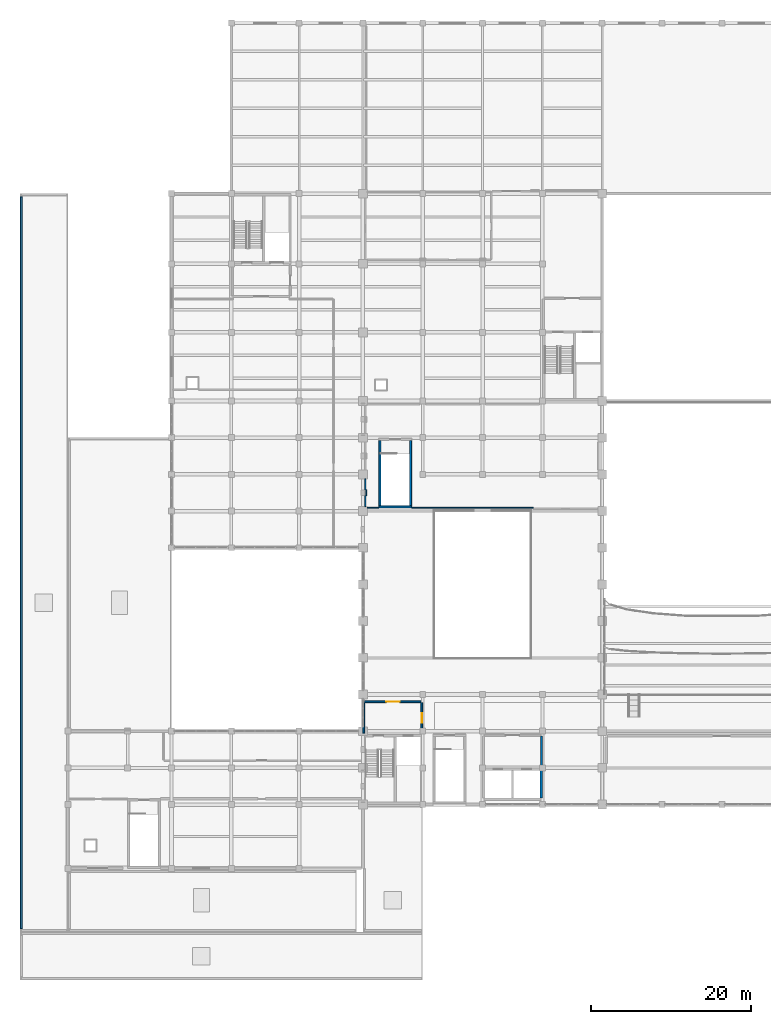
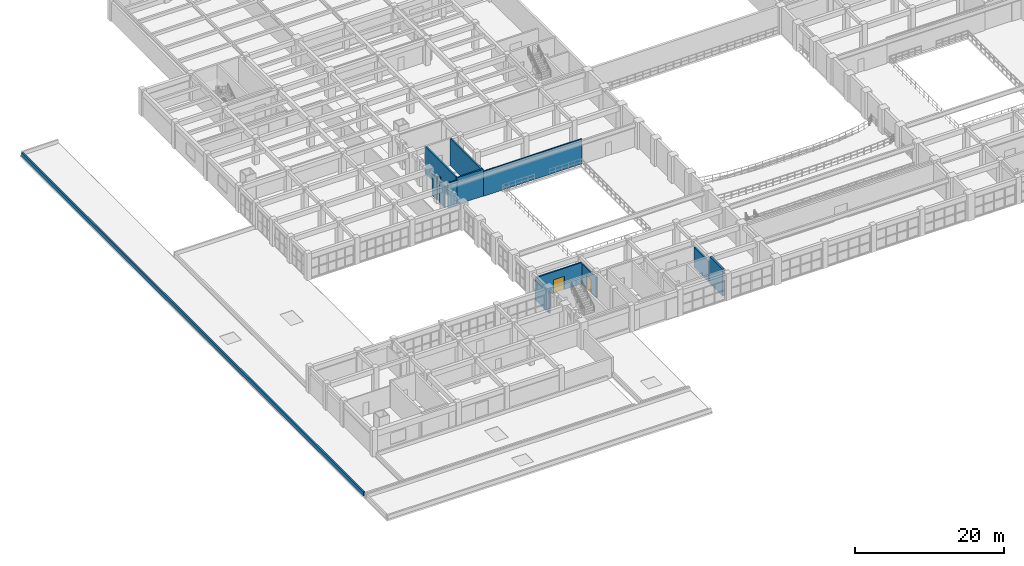
# One storey, part 69 of 90: 14 walls, 2 doors, 2 openings.
"""IFC4 building model written with IfcOpenShell, lengths in metres."""

import ifcopenshell
import ifcopenshell.guid

model = None  # the IFC model being written
_history = None  # IfcOwnerHistory: only IFC2X3 demands one
_inside = {}  # id of a spatial element -> (the spatial element, [elements in it])
_under = {}  # id of a project, library or spatial element -> (it, [spatial elements below it])
_declared = {}  # id of a project -> (the project, [libraries it declares])
_typed = {}  # id of a type object -> (the type object, [elements of that type])
_made_of = {}  # id of a material, layer set ... -> (it, [elements and type objects made of it])


def new_model(schema):
    """Start an empty IFC model of exactly this schema.

    Asked for "IFC4X3", IfcOpenShell would pick the latest addendum, in which some entities
    have other attributes; the version numbers below select the first issue.
    IFC2X3 requires an IfcOwnerHistory on every rooted entity: one is made here for all.
    """
    global model, _history
    if schema == "IFC4X3":
        model = ifcopenshell.file(schema_version=(4, 3, 0, 0))
    else:
        model = ifcopenshell.file(schema=schema)
    _inside.clear()
    _under.clear()
    _declared.clear()
    _typed.clear()
    _made_of.clear()
    _history = None
    if model.schema == "IFC2X3":
        org = make("IfcOrganization", Name="unknown")
        user = make(
            "IfcPersonAndOrganization",
            ThePerson=make("IfcPerson", FamilyName="unknown"),
            TheOrganization=org,
        )
        app = make(
            "IfcApplication",
            ApplicationDeveloper=org,
            Version="unknown",
            ApplicationFullName="unknown",
            ApplicationIdentifier="unknown",
        )
        _history = make(
            "IfcOwnerHistory",
            OwningUser=user,
            OwningApplication=app,
            ChangeAction="ADDED",
            CreationDate=0,
        )
    return model


def make(cls, **values):
    """One entity of the class cls with the attributes given. An attribute that is None is left unset."""
    return model.create_entity(
        cls, **{name: value for name, value in values.items() if value is not None}
    )


def rooted(cls, **values):
    """An entity with a GlobalId (a new one), such as an element, a storey or a relation."""
    return make(cls, GlobalId=ifcopenshell.guid.new(), OwnerHistory=_history, **values)


def si_unit(unit_type, name, prefix=None):
    """IfcSIUnit, for example si_unit("LENGTHUNIT", "METRE", prefix="MILLI")."""
    return make("IfcSIUnit", UnitType=unit_type, Prefix=prefix, Name=name)


def assignment(units):
    """IfcUnitAssignment: the units of a project."""
    return None if units is None else make("IfcUnitAssignment", Units=units)


def point(xyz):
    """IfcCartesianPoint."""
    return None if xyz is None else make("IfcCartesianPoint", Coordinates=xyz)


def direction(xyz):
    """IfcDirection."""
    return None if xyz is None else make("IfcDirection", DirectionRatios=xyz)


def frame(location, z_axis=None, x_axis=None):
    """IfcAxis2Placement3D, a coordinate frame: its origin and axes. An axis left out is left unset."""
    return make(
        "IfcAxis2Placement3D",
        Location=point(location),
        Axis=direction(z_axis),
        RefDirection=direction(x_axis),
    )


def frame_2d(location, x_axis=None):
    """IfcAxis2Placement2D, a coordinate frame in the plane: its origin and x axis."""
    return make(
        "IfcAxis2Placement2D", Location=point(location), RefDirection=direction(x_axis)
    )


def origin():
    """The frame at (0, 0, 0) with its axes left unset."""
    return frame((0.0, 0.0, 0.0))


def place(relative_to, where):
    """IfcLocalPlacement: puts the frame where relative to a parent placement (None: the world)."""
    return make(
        "IfcLocalPlacement", PlacementRelTo=relative_to, RelativePlacement=where
    )


def context(
    kind, dimensions, precision=None, world=None, true_north=None, identifier=None
):
    """IfcGeometricRepresentationContext, for example the 3D "Model" context."""
    return make(
        "IfcGeometricRepresentationContext",
        ContextIdentifier=identifier,
        ContextType=kind,
        CoordinateSpaceDimension=dimensions,
        Precision=precision,
        WorldCoordinateSystem=world,
        TrueNorth=true_north,
    )


def subcontext(parent, identifier, kind, view, scale=None):
    """IfcGeometricRepresentationSubContext, for example "Body" below "Model"."""
    return make(
        "IfcGeometricRepresentationSubContext",
        ContextIdentifier=identifier,
        ContextType=kind,
        ParentContext=parent,
        TargetScale=scale,
        TargetView=view,
    )


def project(units=None, contexts=None):
    """IfcProject with its units and contexts."""
    return rooted(
        "IfcProject",
        Name="project",
        RepresentationContexts=contexts,
        UnitsInContext=assignment(units),
    )


def spatial(cls, under=None, at=None, **own):
    """A site, building, storey or space (cls), placed at a placement, below another one or the project."""
    s = rooted(cls, ObjectPlacement=at, **own)
    if under is not None:
        _under.setdefault(under.id(), (under, []))[1].append(s)
    return s


def profile(cls, at=None, kind="AREA", **sizes):
    """A parametric profile (cls). Its sizes go by their IFC names, for example OverallWidth=200.0."""
    return make(cls, ProfileType=kind, Position=at, **sizes)


def rectangle(**sizes):
    """IfcRectangleProfileDef."""
    return profile("IfcRectangleProfileDef", **sizes)


def extrude(swept, where, along, depth):
    """IfcExtrudedAreaSolid: the profile swept, set in the frame where, extruded along a direction by depth."""
    return make(
        "IfcExtrudedAreaSolid",
        SweptArea=swept,
        Position=where,
        ExtrudedDirection=direction(along),
        Depth=depth,
    )


def shape(context_of_items, identifier, shape_type, items):
    """IfcShapeRepresentation: the items that make up one representation, for example the "Body"."""
    return make(
        "IfcShapeRepresentation",
        ContextOfItems=context_of_items,
        RepresentationIdentifier=identifier,
        RepresentationType=shape_type,
        Items=items,
    )


def material(Name=None, Category=None):
    """IfcMaterial."""
    return make("IfcMaterial", Name=Name, Category=Category)


def layer(
    of_material, thickness, ventilated=None, Name=None, Category=None, Priority=None
):
    """IfcMaterialLayer: one layer of a wall or slab, of a material (None: an air gap)."""
    return make(
        "IfcMaterialLayer",
        Material=of_material,
        LayerThickness=thickness,
        IsVentilated=ventilated,
        Name=Name,
        Category=Category,
        Priority=Priority,
    )


def layer_set(layers, Name=None):
    """IfcMaterialLayerSet."""
    return make("IfcMaterialLayerSet", MaterialLayers=layers, LayerSetName=Name)


def made_of(thing, what):
    """Note that an element or type object is made of a material, layer set ...; save() writes the relation."""
    if what is not None:
        _made_of.setdefault(what.id(), (what, []))[1].append(thing)
    return thing


def type_object(cls, material=None, **own):
    """A type object (cls), such as IfcWallType, which elements share."""
    return made_of(rooted(cls, **own), material)


def element(
    cls,
    number,
    at=None,
    inside=None,
    cuts=None,
    type_object=None,
    material=None,
    context=None,
    identifier="Body",
    shape_type=None,
    held_by="IfcProductDefinitionShape",
    body=None,
    shapes=None,
    **own,
):
    """One element of the class cls, such as IfcWall. Its Tag is "e" and its number.

    at: its placement. inside: the storey or other place that contains it. cuts: it is an
    opening in that element (IfcRelVoidsElement). A single representation is given by context,
    identifier, shape_type and body (its items); several are given by shapes. held_by: the class
    of the entity that holds the representations. save() writes the other relations.
    """
    e = rooted(cls, Tag="e%d" % number, ObjectPlacement=at, **own)
    if body is not None:
        shapes = [shape(context, identifier, shape_type, body)]
    if shapes is not None:
        e.Representation = make(held_by, Representations=shapes)
    if inside is not None:
        _inside.setdefault(inside.id(), (inside, []))[1].append(e)
    if cuts is not None:
        rooted(
            "IfcRelVoidsElement", RelatingBuildingElement=cuts, RelatedOpeningElement=e
        )
    if type_object is not None:
        _typed.setdefault(type_object.id(), (type_object, []))[1].append(e)
    return made_of(e, material)


def fill(opening, filler):
    """IfcRelFillsElement: the door or window that sits in an opening."""
    return rooted(
        "IfcRelFillsElement",
        RelatingOpeningElement=opening,
        RelatedBuildingElement=filler,
    )


def aggregate(whole, parts):
    """IfcRelAggregates: a whole, such as a stair, and the parts it consists of."""
    return rooted("IfcRelAggregates", RelatingObject=whole, RelatedObjects=parts)


def save(model, path):
    """Write the relations noted so far, then the file.

    IfcRelAggregates (storeys below a building ...), IfcRelContainedInSpatialStructure (elements
    in a storey), IfcRelDefinesByType, IfcRelAssociatesMaterial and IfcRelDeclares: one each for
    every whole, place, type object, material and project.
    """
    for whole, parts in _under.values():
        aggregate(whole, parts)
    for where, things in _inside.values():
        rooted(
            "IfcRelContainedInSpatialStructure",
            RelatedElements=things,
            RelatingStructure=where,
        )
    for kind, things in _typed.values():
        rooted("IfcRelDefinesByType", RelatedObjects=things, RelatingType=kind)
    for what, things in _made_of.values():
        rooted("IfcRelAssociatesMaterial", RelatedObjects=things, RelatingMaterial=what)
    for by, libraries in _declared.values():
        rooted("IfcRelDeclares", RelatingContext=by, RelatedDefinitions=libraries)
    model.write(path)


model = new_model("IFC4")

# Units and contexts
model_context = context("Model", 3, precision=1e-05, world=origin(), true_north=direction((0.0, 1.0)))
body_context = subcontext(model_context, "Body", "Model", "MODEL_VIEW")
ifc_project = project(units=[si_unit("LENGTHUNIT", "METRE"), si_unit("AREAUNIT", "SQUARE_METRE"), si_unit("VOLUMEUNIT", "CUBIC_METRE"), si_unit("PLANEANGLEUNIT", "RADIAN"), si_unit("MASSUNIT", "GRAM", prefix="KILO")], contexts=[model_context])

# Site, building, storey
site_placement = place(None, origin())
site = spatial("IfcSite", under=ifc_project, at=site_placement, CompositionType="ELEMENT")
building_placement = place(site_placement, origin())
building = spatial("IfcBuilding", under=site, at=building_placement, Name="Muzn Square Opera House", CompositionType="ELEMENT")
storey_placement = place(building_placement, frame((0.0, 0.0, 9.800048828125)))
storey = spatial("IfcBuildingStorey", under=building, at=storey_placement, Name="L02", CompositionType="ELEMENT", Elevation=9.800048828125)

# Walls
ifc_material_1 = material(Name="Concrete C45/55", Category="concrete")
ifc_layer_1 = layer(ifc_material_1, 0.25, Name="Concrete C45/55", Category="concrete")
ifc_layer_set_1 = layer_set([ifc_layer_1], Name="Concrete C45/55")
wall_type_1 = type_object("IfcWallType", Name="Aux Stair Enclosure Wall 250mm", PredefinedType="SHEAR", material=ifc_layer_set_1)
wall_1_placement = place(storey_placement, frame((45.0, 59.324951171875, 0.0), z_axis=(0.0, 0.0, 1.0), x_axis=(1.0, 0.0, 0.0)))
element("IfcWall", 1, at=wall_1_placement, inside=storey, type_object=wall_type_1, Name="Escape Stair ST-9 Wall S L02", PredefinedType="SHEAR", context=body_context, shape_type="SweptSolid", body=[
    extrude(rectangle(XDim=4.10009765625, YDim=0.25, at=frame_2d((2.050048828125, 0.0))), origin(), (0.0, 0.0, 1.0), 4.39990234375),
])
for number, where, z_axis, x_axis, name in (
    (2, (45.125, 59.449951171875, 0.0), (0.0, 0.0, 1.0), (0.0, 1.0, 0.0), "Escape Stair ST-9 Wall W L02"),
    (3, (48.97509765625, 59.449951171875, 0.0), (0.0, 0.0, 1.0), (0.0, 1.0, 0.0), "Escape Stair ST-9 Wall E L02"),
):
    element("IfcWall", number, at=place(storey_placement, frame(where, z_axis=z_axis, x_axis=x_axis)), inside=storey, type_object=wall_type_1, Name=name, PredefinedType="SHEAR", context=body_context, shape_type="SweptSolid", body=[
        extrude(rectangle(XDim=8.199951171875, YDim=0.25, at=frame_2d((4.10009765625, 0.0))), origin(), (0.0, 0.0, 1.0), 4.39990234375),
    ])
ifc_layer_2 = layer(ifc_material_1, 0.300048828125, Name="Concrete C45/55", Category="concrete")
ifc_layer_set_2 = layer_set([ifc_layer_2], Name="Concrete C45/55")
wall_type_2 = type_object("IfcWallType", Name="Core Shear Wall 300mm", PredefinedType="SHEAR", material=ifc_layer_set_2)
wall_2_placement = place(storey_placement, frame((65.35009765625, 22.800048828125, 0.0), z_axis=(0.0, 0.0, 1.0), x_axis=(0.0, 1.0, 0.0)))
element("IfcWall", 4, at=wall_2_placement, inside=storey, type_object=wall_type_2, Name="Lift Bank LBW Shear Wall SW-LBW-L02-E", PredefinedType="SHEAR", context=body_context, shape_type="SweptSolid", body=[
    extrude(rectangle(XDim=3.5, YDim=0.300048828125, at=frame_2d((1.75, 0.0))), origin(), (0.0, 0.0, 1.0), 4.39990234375),
])

# Wall, opening, door
ifc_material_2 = material(Name="Concrete C40/50", Category="concrete")
ifc_layer_3 = layer(ifc_material_2, 0.219970703125, Name="Concrete C40/50", Category="concrete")
ifc_layer_set_3 = layer_set([ifc_layer_3], Name="Concrete C40/50")
wall_type_3 = type_object("IfcWallType", Name="Lift Lobby Wall 220mm", PredefinedType="SOLIDWALL", material=ifc_layer_set_3)
wall_3_placement = place(storey_placement, frame((43.219970703125, 34.889892578125, 0.0), z_axis=(0.0, 0.0, 1.0), x_axis=(1.0, 0.0, 0.0)))
wall_3 = element("IfcWall", 5, at=wall_3_placement, inside=storey, type_object=wall_type_3, Name="Lobby C3 Enclosure Wall L02", PredefinedType="SOLIDWALL", context=body_context, shape_type="SweptSolid", body=[
    extrude(rectangle(XDim=7.06005859375, YDim=0.219970703125, at=frame_2d((3.530029296875, 0.0))), origin(), (0.0, 0.0, 1.0), 3.5),
])
opening_1_placement = place(wall_3_placement, frame((2.679931640625, 0.0, 0.0)))
opening_1 = element("IfcOpeningElement", 6, at=opening_1_placement, cuts=wall_3, Name="Opening DR-LL17", PredefinedType="OPENING", context=body_context, shape_type="SweptSolid", body=[
    extrude(rectangle(XDim=1.699951171875, YDim=2.179931640625, at=frame_2d((0.85009765625, 1.08984375))), frame((0.0, 0.119873046875, 0.0), z_axis=(0.0, -1.0, 0.0), x_axis=(1.0, 0.0, 0.0)), (0.0, 0.0, 1.0), 0.239990234375),
])
ifc_material_3 = material(Name="Acoustic hardwood leaf", Category="wood")
door_type_1 = type_object("IfcDoorType", Name="Lift Lobby Double Door 1700x2180", OperationType="DOUBLE_DOOR_SINGLE_SWING", PredefinedType="DOOR", material=ifc_material_3)
door_1_placement = place(opening_1_placement, origin())
door_1 = element("IfcDoor", 7, at=door_1_placement, inside=storey, type_object=door_type_1, Name="Lobby C3 Fire Door L02", OperationType="DOUBLE_DOOR_SINGLE_SWING", OverallHeight=2.179931640625, OverallWidth=1.699951171875, PredefinedType="DOOR", context=body_context, shape_type="SweptSolid", body=[
    extrude(rectangle(XDim=1.699951171875, YDim=2.179931640625, at=frame_2d((0.85009765625, 1.08984375))), frame((0.0, 0.02490234375, 0.0), z_axis=(0.0, -1.0, 0.0), x_axis=(1.0, 0.0, 0.0)), (0.0, 0.0, 1.0), 0.050048828125),
])
fill(opening_1, door_1)

# Wall
wall_4_placement = place(storey_placement, frame((43.110107421875, 30.949951171875, 0.0), z_axis=(0.0, 0.0, 1.0), x_axis=(0.0, 1.0, 0.0)))
element("IfcWall", 8, at=wall_4_placement, inside=storey, type_object=wall_type_3, Name="Lobby C3 Side Wall W L02", PredefinedType="SOLIDWALL", context=body_context, shape_type="SweptSolid", body=[
    extrude(rectangle(XDim=3.830078125, YDim=0.219970703125, at=frame_2d((1.9150390625, 0.0))), origin(), (0.0, 0.0, 1.0), 3.5),
])

# Wall, opening, door
wall_5_placement = place(storey_placement, frame((50.389892578125, 30.949951171875, 0.0), z_axis=(0.0, 0.0, 1.0), x_axis=(0.0, 1.0, 0.0)))
wall_5 = element("IfcWall", 9, at=wall_5_placement, inside=storey, type_object=wall_type_3, Name="Lobby C3 Side Wall E L02", PredefinedType="SOLIDWALL", context=body_context, shape_type="SweptSolid", body=[
    extrude(rectangle(XDim=3.830078125, YDim=0.219970703125, at=frame_2d((1.9150390625, 0.0))), origin(), (0.0, 0.0, 1.0), 3.300048828125),
])
opening_2_placement = place(wall_5_placement, frame((2.514892578125, 0.0, 0.0), z_axis=(0.0, 0.0, 1.0), x_axis=(-1.0, 0.0, 0.0)))
opening_2 = element("IfcOpeningElement", 10, at=opening_2_placement, cuts=wall_5, Name="Opening DR-ST12", PredefinedType="OPENING", context=body_context, shape_type="SweptSolid", body=[
    extrude(rectangle(XDim=1.199951171875, YDim=2.14990234375, at=frame_2d((0.60009765625, 1.074951171875))), frame((0.0, 0.119873046875, 0.0), z_axis=(0.0, -1.0, 0.0), x_axis=(1.0, 0.0, 0.0)), (0.0, 0.0, 1.0), 0.239990234375),
])
ifc_material_4 = material(Name="Galvanised painted steel leaf", Category="metal")
door_type_2 = type_object("IfcDoorType", Name="Core Stair Fire Door 1200x2150", OperationType="NOTDEFINED", PredefinedType="DOOR", material=ifc_material_4)
door_2_placement = place(opening_2_placement, origin())
door_2 = element("IfcDoor", 11, at=door_2_placement, inside=storey, type_object=door_type_2, Name="Lobby C3 Side Door E L02", OperationType="SINGLE_SWING_RIGHT", OverallHeight=2.14990234375, OverallWidth=1.199951171875, PredefinedType="DOOR", context=body_context, shape_type="SweptSolid", body=[
    extrude(rectangle(XDim=1.199951171875, YDim=2.14990234375, at=frame_2d((0.60009765625, 1.074951171875))), frame((0.0, 0.02490234375, 0.0), z_axis=(0.0, -1.0, 0.0), x_axis=(1.0, 0.0, 0.0)), (0.0, 0.0, 1.0), 0.050048828125),
])
fill(opening_2, door_2)

# Walls
wall_6_placement = place(storey_placement, frame((65.389892578125, 26.75, 0.0), z_axis=(0.0, 0.0, 1.0), x_axis=(0.0, 1.0, 0.0)))
element("IfcWall", 12, at=wall_6_placement, inside=storey, type_object=wall_type_3, Name="Lift Lobby LBW Side Wall E L02", PredefinedType="SOLIDWALL", context=body_context, shape_type="SweptSolid", body=[
    extrude(rectangle(XDim=3.830078125, YDim=0.219970703125, at=frame_2d((1.9150390625, 0.0))), origin(), (0.0, 0.0, 1.0), 3.300048828125),
])
ifc_material_5 = material(Name="Acoustic gypsum stud partition", Category="gypsum")
ifc_layer_4 = layer(ifc_material_5, 0.14990234375, Name="Acoustic gypsum stud partition", Category="gypsum")
ifc_layer_set_4 = layer_set([ifc_layer_4], Name="Acoustic gypsum stud partition")
wall_type_4 = type_object("IfcWallType", Name="Office Acoustic Partition 150mm", PredefinedType="PARTITIONING", material=ifc_layer_set_4)
wall_7_placement = place(storey_placement, frame((43.300048828125, 59.3701171875, 0.0), z_axis=(0.0, 0.0, 1.0), x_axis=(0.0, 1.0, 0.0)))
element("IfcWall", 13, at=wall_7_placement, inside=storey, type_object=wall_type_4, Name="Interior Partition PW-L02-0252", PredefinedType="PARTITIONING", context=body_context, shape_type="SweptSolid", body=[
    extrude(rectangle(XDim=1.35986328125, YDim=0.14990234375, at=frame_2d((0.679931640625, 0.0))), origin(), (0.0, 0.0, 1.0), 3.5),
])
wall_8_placement = place(storey_placement, frame((43.300048828125, 61.469970703125, 0.0), z_axis=(0.0, 0.0, 1.0), x_axis=(0.0, 1.0, 0.0)))
element("IfcWall", 14, at=wall_8_placement, inside=storey, type_object=wall_type_4, Name="Interior Partition PW-L02-0253", PredefinedType="PARTITIONING", context=body_context, shape_type="SweptSolid", body=[
    extrude(rectangle(XDim=1.360107421875, YDim=0.14990234375, at=frame_2d((0.68017578125, 0.0))), origin(), (0.0, 0.0, 1.0), 3.5),
])
wall_9_placement = place(storey_placement, frame((49.1201171875, 59.199951171875, 0.0), z_axis=(0.0, 0.0, 1.0), x_axis=(1.0, 0.0, 0.0)))
element("IfcWall", 15, at=wall_9_placement, inside=storey, type_object=wall_type_4, Name="Room Enclosure Partition PW-L02-0297", PredefinedType="PARTITIONING", context=body_context, shape_type="SweptSolid", body=[
    extrude(rectangle(XDim=15.259765625, YDim=0.14990234375, at=frame_2d((7.6298828125, 0.0))), origin(), (0.0, 0.0, 1.0), 4.099853515625),
])
wall_10_placement = place(storey_placement, frame((43.570068359375, 59.199951171875, 0.0), z_axis=(0.0, 0.0, 1.0), x_axis=(1.0, 0.0, 0.0)))
element("IfcWall", 16, at=wall_10_placement, inside=storey, type_object=wall_type_4, Name="Room Enclosure Partition PW-L02-0296", PredefinedType="PARTITIONING", context=body_context, shape_type="SweptSolid", body=[
    extrude(rectangle(XDim=1.409912109375, YDim=0.14990234375, at=frame_2d((0.705078125, 0.0))), origin(), (0.0, 0.0, 1.0), 4.099853515625),
])
wall_11_placement = place(storey_placement, frame((43.39990234375, 60.75, 0.0), z_axis=(0.0, 0.0, 1.0), x_axis=(0.0, 1.0, 0.0)))
element("IfcWall", 17, at=wall_11_placement, inside=storey, type_object=wall_type_4, Name="Room Enclosure Partition PW-L02-0301", PredefinedType="PARTITIONING", context=body_context, shape_type="SweptSolid", body=[
    extrude(rectangle(XDim=0.699951171875, YDim=0.14990234375, at=frame_2d((0.35009765625, 0.0))), origin(), (0.0, 0.0, 1.0), 4.099853515625),
])
ifc_material_6 = material(Name="Precast concrete C40/50", Category="concrete")
ifc_layer_5 = layer(ifc_material_6, 0.239990234375, Name="Precast concrete C40/50", Category="concrete")
ifc_layer_set_5 = layer_set([ifc_layer_5], Name="Precast concrete C40/50")
wall_type_5 = type_object("IfcWallType", Name="Roof Parapet Wall 240mm", PredefinedType="PARAPET", material=ifc_layer_set_5)
wall_12_placement = place(storey_placement, frame((0.14990234375, 6.39990234375, 0.0), z_axis=(0.0, 0.0, 1.0), x_axis=(0.0, 1.0, 0.0)))
element("IfcWall", 18, at=wall_12_placement, inside=storey, type_object=wall_type_5, Name="Roof Parapet ROOF-L02-COL-WB-W", PredefinedType="PARAPET", context=body_context, shape_type="SweptSolid", body=[
    extrude(rectangle(XDim=91.800048828125, YDim=0.239990234375, at=frame_2d((45.89990234375, 0.0))), origin(), (0.0, 0.0, 1.0), 0.64990234375),
])

save(model, "model.ifc")
